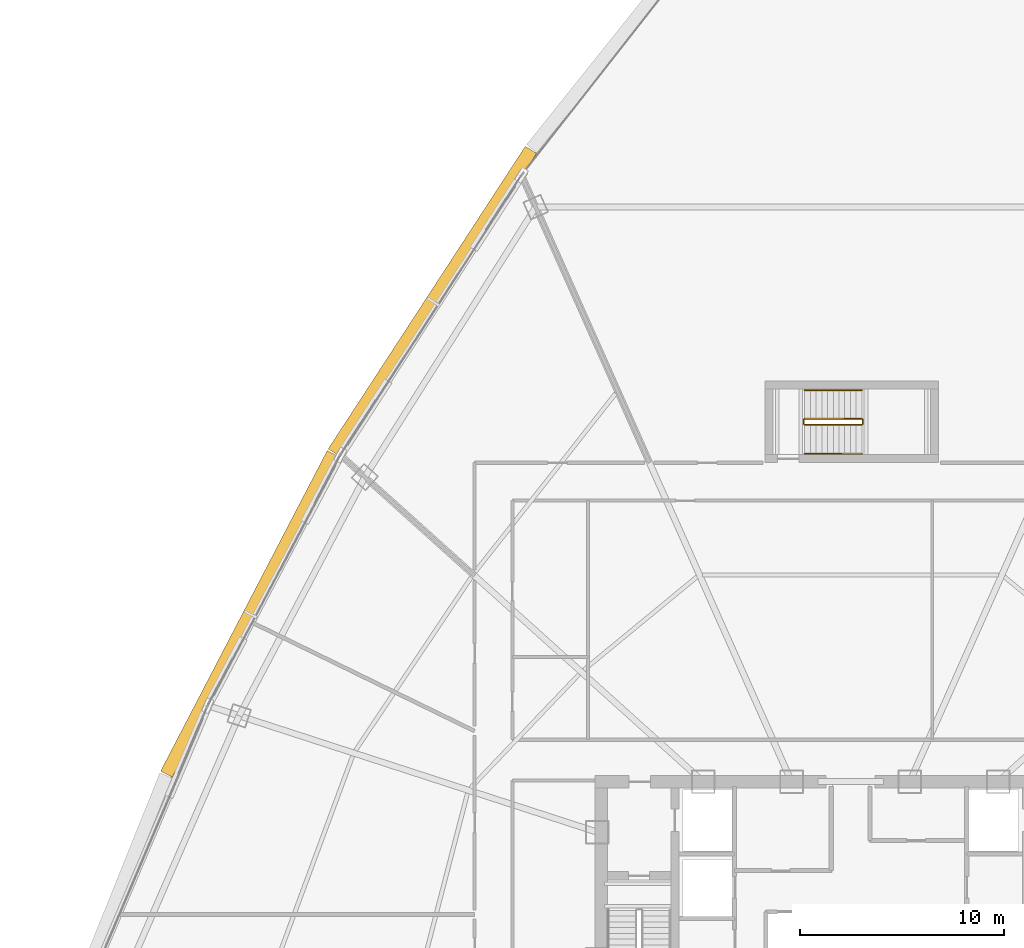
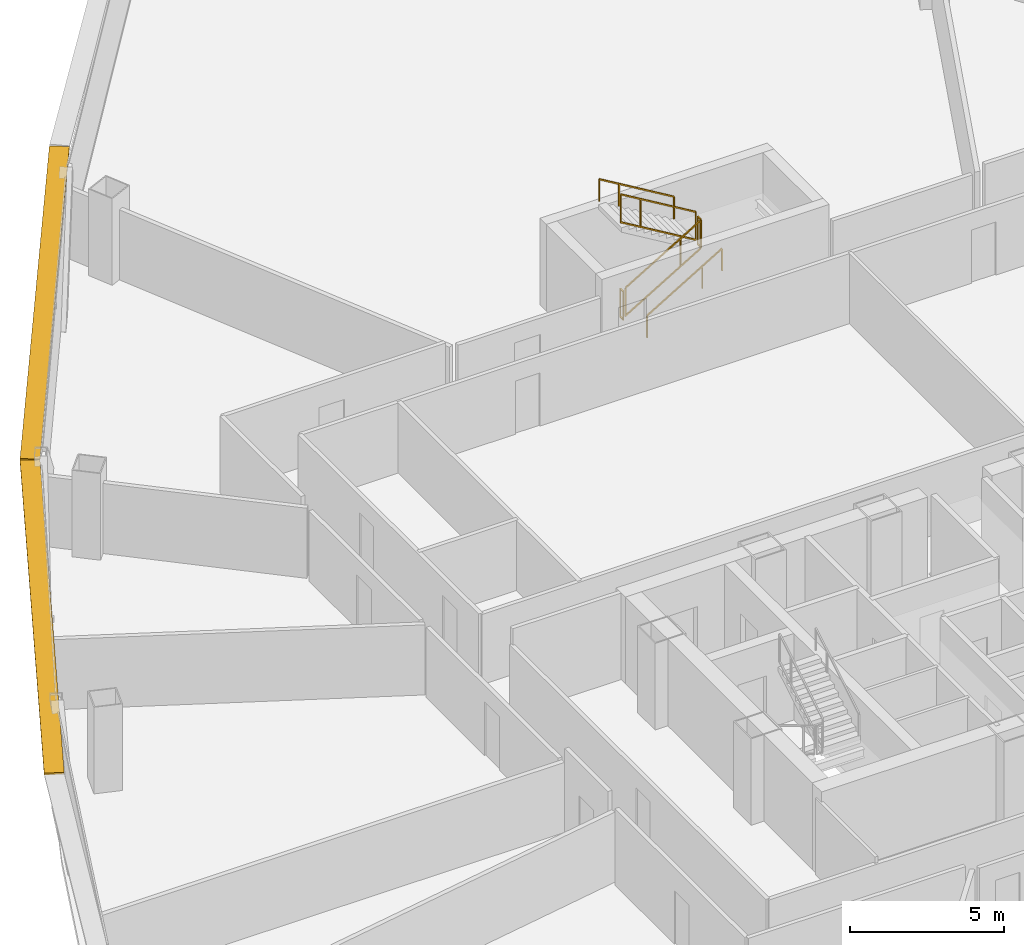
# One storey, part 38 of 39: 6 railings, 2 shading devices.
"""IFC4 building model written with IfcOpenShell, lengths in metres."""

from ifc_helpers import new_model, si_unit, direction, frame, origin, origin_2d, place, context, subcontext, project, spatial, rectangle, extrude, source, transform, mapped, material, layer, layer_set, type_object, element, save


model = new_model("IFC4")

# Units and contexts
model_context = context("Model", 3, precision=1e-05, world=origin(), true_north=direction((0.0, 1.0)))
body_context = subcontext(model_context, "Body", "Model", "MODEL_VIEW")
ifc_project = project(units=[si_unit("LENGTHUNIT", "METRE"), si_unit("AREAUNIT", "SQUARE_METRE"), si_unit("VOLUMEUNIT", "CUBIC_METRE"), si_unit("PLANEANGLEUNIT", "RADIAN"), si_unit("MASSUNIT", "GRAM", prefix="KILO"), si_unit("THERMODYNAMICTEMPERATUREUNIT", "KELVIN"), si_unit("POWERUNIT", "WATT")], contexts=[model_context])

# Site, building, storey
site_placement = place(None, origin())
site = spatial("IfcSite", under=ifc_project, at=site_placement, CompositionType="ELEMENT")
building_placement = place(site_placement, origin())
building = spatial("IfcBuilding", under=site, at=building_placement, Name="Yunzhuo Pagoda Commons", CompositionType="ELEMENT")
storey_placement = place(building_placement, frame((0.0, 0.0, 140.8701171875)))
storey = spatial("IfcBuildingStorey", under=building, at=storey_placement, Name="L35", CompositionType="ELEMENT", Elevation=140.8701171875)

# Railings
ifc_material = material(Name="Anodized aluminium 6063-T6", Category="aluminium")
railing_type_1 = type_object("IfcRailingType", Name="GR-ST3 North Well Guardrail 1155", PredefinedType="GUARDRAIL", material=ifc_material)
railing_1_placement = place(storey_placement, frame((45.75, 57.64990234375, 0.167236328125)))
element("IfcRailing", 1, at=railing_1_placement, inside=storey, type_object=railing_type_1, Name="L35 ST3 stair guard 1", PredefinedType="GUARDRAIL", context=body_context, shape_type="SweptSolid", body=[
    extrude(rectangle(XDim=0.048095703125, YDim=0.048095703125, at=origin_2d()), frame((0.0, 0.0, 1.1259765625), z_axis=(0.858495211305, 0.0, 0.512821579271), x_axis=(0.0, 1.0, 0.0)), (0.0, 0.0, 1.0), 3.261474609375),
    extrude(rectangle(XDim=0.048095703125, YDim=0.048095703125, at=origin_2d()), frame((0.0, 0.0, 0.02392578125), z_axis=(0.858495211305, 0.0, 0.512821579271), x_axis=(0.0, 1.0, 0.0)), (0.0, 0.0, 1.0), 3.261474609375),
    extrude(rectangle(XDim=0.0419921875, YDim=0.0419921875, at=origin_2d()), origin(), (0.0, 0.0, 1.0), 1.101806640625),
    extrude(rectangle(XDim=0.0419921875, YDim=0.0419921875, at=origin_2d()), frame((2.060302734375, 0.0, 1.230712890625)), (0.0, 0.0, 1.0), 1.101806640625),
    extrude(rectangle(XDim=0.0419921875, YDim=0.0419921875, at=origin_2d()), frame((2.800048828125, 0.0, 1.672607421875)), (0.0, 0.0, 1.0), 1.101806640625),
])
railing_2_placement = place(storey_placement, frame((48.60009765625, 57.699951171875, 1.83984375)))
element("IfcRailing", 2, at=railing_2_placement, inside=storey, type_object=railing_type_1, Name="L35 ST3 stair guard 2", PredefinedType="GUARDRAIL", context=body_context, shape_type="SweptSolid", body=[
    extrude(rectangle(XDim=0.048095703125, YDim=0.048095703125, at=origin_2d()), frame((0.0, 0.0, 1.1259765625), z_axis=(0.0, 1.0, 0.0), x_axis=(-1.0, 0.0, 0.0)), (0.0, 0.0, 1.0), 0.199951171875),
    extrude(rectangle(XDim=0.048095703125, YDim=0.048095703125, at=origin_2d()), frame((0.0, 0.0, 0.02392578125), z_axis=(0.0, 1.0, 0.0), x_axis=(-1.0, 0.0, 0.0)), (0.0, 0.0, 1.0), 0.199951171875),
    extrude(rectangle(XDim=0.0419921875, YDim=0.0419921875, at=origin_2d()), origin(), (0.0, 0.0, 1.0), 1.101806640625),
    extrude(rectangle(XDim=0.0419921875, YDim=0.0419921875, at=origin_2d()), frame((0.0, 0.199951171875, 0.0)), (0.0, 0.0, 1.0), 1.101806640625),
])
railing_3_placement = place(storey_placement, frame((48.550048828125, 57.949951171875, 2.007080078125)))
element("IfcRailing", 3, at=railing_3_placement, inside=storey, type_object=railing_type_1, Name="L35 ST3 stair guard 3", PredefinedType="GUARDRAIL", context=body_context, shape_type="SweptSolid", body=[
    extrude(rectangle(XDim=0.048095703125, YDim=0.048095703125, at=origin_2d()), frame((0.0, 0.0, 1.1259765625), z_axis=(-0.858462256164, 0.0, 0.512876744201), x_axis=(0.0, -1.0, 0.0)), (0.0, 0.0, 1.0), 3.26171875),
    extrude(rectangle(XDim=0.048095703125, YDim=0.048095703125, at=origin_2d()), frame((0.0, 0.0, 0.02392578125), z_axis=(-0.858462256164, 0.0, 0.512876744201), x_axis=(0.0, -1.0, 0.0)), (0.0, 0.0, 1.0), 3.26171875),
    extrude(rectangle(XDim=0.0419921875, YDim=0.0419921875, at=origin_2d()), origin(), (0.0, 0.0, 1.0), 1.101806640625),
    extrude(rectangle(XDim=0.0419921875, YDim=0.0419921875, at=origin_2d()), frame((-2.060302734375, 0.0, 1.23095703125)), (0.0, 0.0, 1.0), 1.101806640625),
    extrude(rectangle(XDim=0.0419921875, YDim=0.0419921875, at=origin_2d()), frame((-2.800048828125, 0.0, 1.6728515625)), (0.0, 0.0, 1.0), 1.101806640625),
])
railing_4_placement = place(storey_placement, frame((45.699951171875, 57.699951171875, 0.0)))
element("IfcRailing", 4, at=railing_4_placement, inside=storey, type_object=railing_type_1, Name="L35 ST3 stair guard 4", PredefinedType="GUARDRAIL", context=body_context, shape_type="SweptSolid", body=[
    extrude(rectangle(XDim=0.048095703125, YDim=0.048095703125, at=origin_2d()), frame((0.0, 0.0, 1.1259765625), z_axis=(0.0, 1.0, 0.0), x_axis=(-1.0, 0.0, 0.0)), (0.0, 0.0, 1.0), 0.199951171875),
    extrude(rectangle(XDim=0.048095703125, YDim=0.048095703125, at=origin_2d()), frame((0.0, 0.0, 0.02392578125), z_axis=(0.0, 1.0, 0.0), x_axis=(-1.0, 0.0, 0.0)), (0.0, 0.0, 1.0), 0.199951171875),
    extrude(rectangle(XDim=0.0419921875, YDim=0.0419921875, at=origin_2d()), origin(), (0.0, 0.0, 1.0), 1.101806640625),
    extrude(rectangle(XDim=0.0419921875, YDim=0.0419921875, at=origin_2d()), frame((0.0, 0.199951171875, 0.0)), (0.0, 0.0, 1.0), 1.101806640625),
])
railing_type_2 = type_object("IfcRailingType", Name="HR-ST3 North Stair Handrail 900", PredefinedType="HANDRAIL", material=ifc_material)
railing_5_placement = place(storey_placement, frame((45.75, 56.25, 0.167236328125)))
element("IfcRailing", 5, at=railing_5_placement, inside=storey, type_object=railing_type_2, Name="L35 ST3 stair handrail 1", PredefinedType="HANDRAIL", context=body_context, shape_type="SweptSolid", body=[
    extrude(rectangle(XDim=0.048095703125, YDim=0.048095703125, at=origin_2d()), frame((0.0, 0.0, 0.8759765625), z_axis=(0.858495211305, 0.0, 0.512821579271), x_axis=(0.0, 1.0, 0.0)), (0.0, 0.0, 1.0), 3.261474609375),
    extrude(rectangle(XDim=0.0419921875, YDim=0.0419921875, at=origin_2d()), origin(), (0.0, 0.0, 1.0), 0.851806640625),
    extrude(rectangle(XDim=0.0419921875, YDim=0.0419921875, at=origin_2d()), frame((2.060302734375, 0.0, 1.230712890625)), (0.0, 0.0, 1.0), 0.851806640625),
    extrude(rectangle(XDim=0.0419921875, YDim=0.0419921875, at=origin_2d()), frame((2.800048828125, 0.0, 1.672607421875)), (0.0, 0.0, 1.0), 0.851806640625),
])
railing_6_placement = place(storey_placement, frame((48.550048828125, 59.35009765625, 2.007080078125)))
element("IfcRailing", 6, at=railing_6_placement, inside=storey, type_object=railing_type_2, Name="L35 ST3 stair handrail 2", PredefinedType="HANDRAIL", context=body_context, shape_type="SweptSolid", body=[
    extrude(rectangle(XDim=0.048095703125, YDim=0.048095703125, at=origin_2d()), frame((0.0, 0.0, 0.8759765625), z_axis=(-0.858462256164, 0.0, 0.512876744201), x_axis=(0.0, -1.0, 0.0)), (0.0, 0.0, 1.0), 3.26171875),
    extrude(rectangle(XDim=0.0419921875, YDim=0.0419921875, at=origin_2d()), origin(), (0.0, 0.0, 1.0), 0.851806640625),
    extrude(rectangle(XDim=0.0419921875, YDim=0.0419921875, at=origin_2d()), frame((-2.060302734375, 0.0, 1.23095703125)), (0.0, 0.0, 1.0), 0.851806640625),
    extrude(rectangle(XDim=0.0419921875, YDim=0.0419921875, at=origin_2d()), frame((-2.800048828125, 0.0, 1.6728515625)), (0.0, 0.0, 1.0), 0.851806640625),
])

# Shading devices
ifc_layer = layer(ifc_material, 0.080078125)
ifc_layer_set = layer_set([ifc_layer], Name="Anodized aluminium 6063-T6")
shading_device_type = type_object("IfcShadingDeviceType", Name="SH-SUN1 Pagoda Horizontal Sunshade Eave 650", PredefinedType="USERDEFINED", material=ifc_layer_set)
shared_shape = source(origin(), body_context, "Body", "SweptSolid", [
    extrude(rectangle(XDim=17.672607421875, YDim=0.64990234375, at=origin_2d()), origin(), (0.0, 0.0, 1.0), 0.080078125),
])
for number, where, z_axis, x_axis, name in (
    (7, (27.535888671875, 63.70263671875, 3.33984375), (0.0, 0.0, 1.0), (-0.545853380833, -0.837880711458, 0.0), "L35 horizontal pagoda sunshade eave F3.2"),
    (8, (18.605224609375, 48.403564453125, 3.33984375), (0.0, 0.0, 1.0), (-0.461206683033, -0.88729273384, 0.0), "L35 horizontal pagoda sunshade eave F3.3"),
):
    element("IfcShadingDevice", number, at=place(storey_placement, frame(where, z_axis=z_axis, x_axis=x_axis)), inside=storey, type_object=shading_device_type, Name=name, ObjectType="SUNSHADE", PredefinedType="USERDEFINED", context=body_context, shape_type="MappedRepresentation", body=[
        mapped(shared_shape, transform((0.0, 0.0, 0.0), scale=1.0)),
    ])

save(model, "model.ifc")
